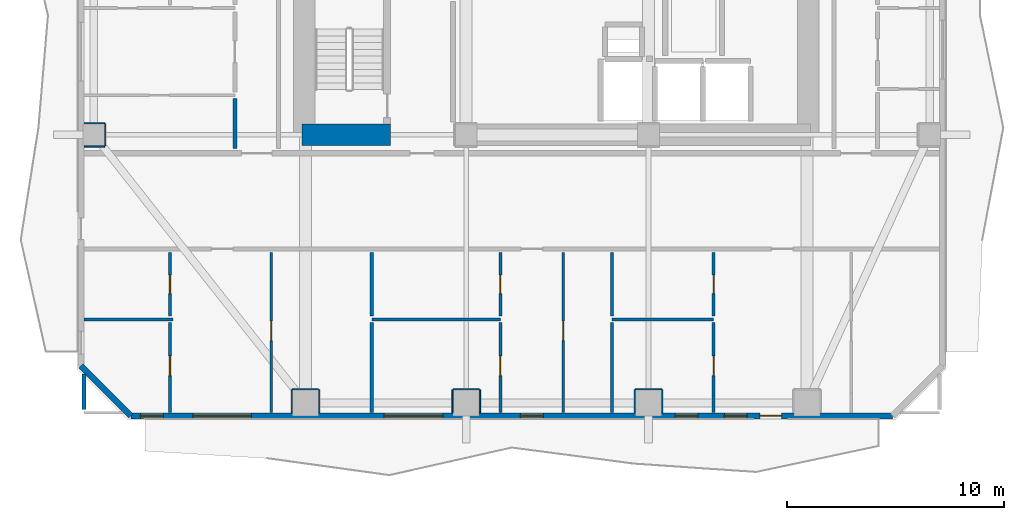
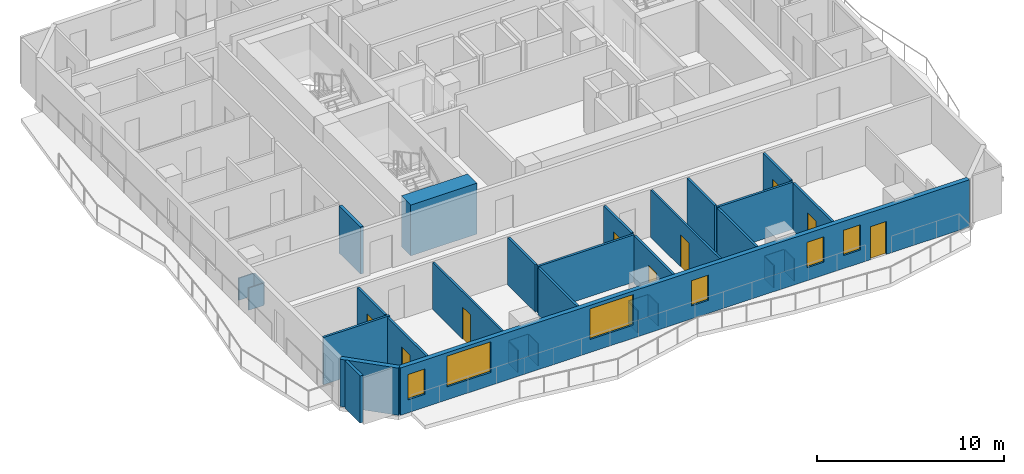
# One storey, part 2 of 11: 32 walls, 9 doors, 6 windows, 15 openings.
"""IFC4 building model written with IfcOpenShell, lengths in metres."""

from ifc_helpers import new_model, si_unit, direction, frame, frame_2d, origin, place, context, subcontext, project, spatial, rectangle, extrude, material, layer, layer_set, type_object, element, fill, save


model = new_model("IFC4")

# Units and contexts
model_context = context("Model", 3, precision=1e-05, world=origin(), true_north=direction((0.0, 1.0)))
body_context = subcontext(model_context, "Body", "Model", "MODEL_VIEW")
ifc_project = project(units=[si_unit("LENGTHUNIT", "METRE"), si_unit("AREAUNIT", "SQUARE_METRE"), si_unit("VOLUMEUNIT", "CUBIC_METRE"), si_unit("PLANEANGLEUNIT", "RADIAN"), si_unit("MASSUNIT", "GRAM", prefix="KILO")], contexts=[model_context])

# Site, building, storey
site_placement = place(None, origin())
site = spatial("IfcSite", under=ifc_project, at=site_placement, CompositionType="ELEMENT")
building_placement = place(site_placement, origin())
building = spatial("IfcBuilding", under=site, at=building_placement, Name="Solanera Arch Residences", CompositionType="ELEMENT")
storey_placement = place(building_placement, frame((0.0, 0.0, 109.39990234375)))
storey = spatial("IfcBuildingStorey", under=building, at=storey_placement, Name="L31", CompositionType="ELEMENT", Elevation=109.39990234375)

# Walls
ifc_material_1 = material(Name="Fire-Rated Gypsum Stud Partition", Category="gypsum")
ifc_layer_1 = layer(ifc_material_1, 0.06005859375)
ifc_layer_set_1 = layer_set([ifc_layer_1], Name="Fire-Rated Gypsum Stud Partition")
wall_type_1 = type_object("IfcWallType", Name="Column Acoustic Furring Wall 60", PredefinedType="PARTITIONING", material=ifc_layer_set_1)
wall_1_placement = place(storey_placement, frame((12.800048828125, 10.281982421875, 0.0), z_axis=(0.0, 0.0, 1.0), x_axis=(1.0, 0.0, 0.0)))
element("IfcWall", 1, at=wall_1_placement, inside=storey, type_object=wall_type_1, Name="L31 Column Furring 9N", PredefinedType="PARTITIONING", context=body_context, shape_type="SweptSolid", body=[
    extrude(rectangle(XDim=1.199951171875, YDim=0.06005859375, at=frame_2d((0.60009765625, 0.0))), origin(), (0.0, 0.0, 1.0), 1.4501953125),
])
for number, where, z_axis, x_axis, name in (
    (2, (12.76806640625, 9.2099609375, 0.0), (0.0, 0.0, 1.0), (0.0, 1.0, 0.0), "L31 Column Furring 9W"),
    (3, (14.031982421875, 9.2099609375, 0.0), (0.0, 0.0, 1.0), (0.0, 1.0, 0.0), "L31 Column Furring 9E"),
):
    element("IfcWall", number, at=place(storey_placement, frame(where, z_axis=z_axis, x_axis=x_axis)), inside=storey, type_object=wall_type_1, Name=name, PredefinedType="PARTITIONING", context=body_context, shape_type="SweptSolid", body=[
        extrude(rectangle(XDim=1.0400390625, YDim=0.06005859375, at=frame_2d((0.52001953125, 0.0))), origin(), (0.0, 0.0, 1.0), 1.4501953125),
    ])
wall_2_placement = place(storey_placement, frame((20.199951171875, 10.281982421875, 0.0), z_axis=(0.0, 0.0, 1.0), x_axis=(1.0, 0.0, 0.0)))
element("IfcWall", 4, at=wall_2_placement, inside=storey, type_object=wall_type_1, Name="L31 Column Furring 11N", PredefinedType="PARTITIONING", context=body_context, shape_type="SweptSolid", body=[
    extrude(rectangle(XDim=1.199951171875, YDim=0.06005859375, at=frame_2d((0.60009765625, 0.0))), origin(), (0.0, 0.0, 1.0), 1.4501953125),
])
for number, where, z_axis, x_axis, name in (
    (5, (20.16796875, 9.2099609375, 0.0), (0.0, 0.0, 1.0), (0.0, 1.0, 0.0), "L31 Column Furring 11W"),
    (6, (21.431884765625, 9.2099609375, 0.0), (0.0, 0.0, 1.0), (0.0, 1.0, 0.0), "L31 Column Furring 11E"),
):
    element("IfcWall", number, at=place(storey_placement, frame(where, z_axis=z_axis, x_axis=x_axis)), inside=storey, type_object=wall_type_1, Name=name, PredefinedType="PARTITIONING", context=body_context, shape_type="SweptSolid", body=[
        extrude(rectangle(XDim=1.0400390625, YDim=0.06005859375, at=frame_2d((0.52001953125, 0.0))), origin(), (0.0, 0.0, 1.0), 1.4501953125),
    ])
wall_3_placement = place(storey_placement, frame((28.60009765625, 10.281982421875, 0.0), z_axis=(0.0, 0.0, 1.0), x_axis=(1.0, 0.0, 0.0)))
element("IfcWall", 7, at=wall_3_placement, inside=storey, type_object=wall_type_1, Name="L31 Column Furring 13N", PredefinedType="PARTITIONING", context=body_context, shape_type="SweptSolid", body=[
    extrude(rectangle(XDim=1.199951171875, YDim=0.06005859375, at=frame_2d((0.60009765625, 0.0))), origin(), (0.0, 0.0, 1.0), 1.4501953125),
])
for number, where, z_axis, x_axis, name in (
    (8, (28.568115234375, 9.2099609375, 0.0), (0.0, 0.0, 1.0), (0.0, 1.0, 0.0), "L31 Column Furring 13W"),
    (9, (29.83203125, 9.2099609375, 0.0), (0.0, 0.0, 1.0), (0.0, 1.0, 0.0), "L31 Column Furring 13E"),
):
    element("IfcWall", number, at=place(storey_placement, frame(where, z_axis=z_axis, x_axis=x_axis)), inside=storey, type_object=wall_type_1, Name=name, PredefinedType="PARTITIONING", context=body_context, shape_type="SweptSolid", body=[
        extrude(rectangle(XDim=1.0400390625, YDim=0.06005859375, at=frame_2d((0.52001953125, 0.0))), origin(), (0.0, 0.0, 1.0), 1.4501953125),
    ])
for number, where, z_axis, x_axis, name in (
    (10, (3.2099609375, 21.468017578125, 0.0), (0.0, 0.0, 1.0), (1.0, 0.0, 0.0), "L31 Column Furring 17S"),
    (11, (3.2099609375, 22.531982421875, 0.0), (0.0, 0.0, 1.0), (1.0, 0.0, 0.0), "L31 Column Furring 17N"),
):
    element("IfcWall", number, at=place(storey_placement, frame(where, z_axis=z_axis, x_axis=x_axis)), inside=storey, type_object=wall_type_1, Name=name, PredefinedType="PARTITIONING", context=body_context, shape_type="SweptSolid", body=[
        extrude(rectangle(XDim=0.93994140625, YDim=0.06005859375, at=frame_2d((0.469970703125, 0.0))), origin(), (0.0, 0.0, 1.0), 1.4501953125),
    ])
wall_4_placement = place(storey_placement, frame((4.181884765625, 21.5, 0.0), z_axis=(0.0, 0.0, 1.0), x_axis=(0.0, 1.0, 0.0)))
element("IfcWall", 12, at=wall_4_placement, inside=storey, type_object=wall_type_1, Name="L31 Column Furring 17E", PredefinedType="PARTITIONING", context=body_context, shape_type="SweptSolid", body=[
    extrude(rectangle(XDim=1.0, YDim=0.06005859375, at=frame_2d((0.5, 0.0))), origin(), (0.0, 0.0, 1.0), 1.4501953125),
])
ifc_material_2 = material(Name="Concrete C55/67 (f'c = 60 MPa)", Category="concrete")
ifc_layer_2 = layer(ifc_material_2, 1.0)
ifc_layer_set_2 = layer_set([ifc_layer_2], Name="Concrete C55/67 (f'c = 60 MPa)")
wall_type_2 = type_object("IfcWallType", Name="Core Shear Wall CW-1000", PredefinedType="SHEAR", material=ifc_layer_set_2)
wall_5_placement = place(storey_placement, frame((13.239990234375, 22.0, 0.0), z_axis=(0.0, 0.0, 1.0), x_axis=(1.0, 0.0, 0.0)))
element("IfcWall", 13, at=wall_5_placement, inside=storey, type_object=wall_type_2, Name="L31 South-West Core Shear Wall", PredefinedType="SHEAR", context=body_context, shape_type="SweptSolid", body=[
    extrude(rectangle(XDim=4.080078125, YDim=1.0, at=frame_2d((2.0400390625, 0.0))), origin(), (0.0, 0.0, 1.0), 3.320068359375),
])
ifc_material_3 = material(Name="Autoclaved Aerated Concrete Blockwork", Category="masonry")
ifc_layer_3 = layer(ifc_material_3, 0.179931640625)
ifc_layer_set_3 = layer_set([ifc_layer_3], Name="Autoclaved Aerated Concrete Blockwork")
wall_type_3 = type_object("IfcWallType", Name="Corridor Fire Partition 180", PredefinedType="PARTITIONING", material=ifc_layer_set_3)
wall_6_placement = place(storey_placement, frame((3.199951171875, 9.35791015625, 0.0), z_axis=(0.0, 0.0, 1.0), x_axis=(0.0, 1.0, 0.0)))
element("IfcWall", 14, at=wall_6_placement, inside=storey, type_object=wall_type_3, Name="L31 Interior Partition V8 1", PredefinedType="PARTITIONING", context=body_context, shape_type="SweptSolid", body=[
    extrude(rectangle(XDim=1.63720703125, YDim=0.179931640625, at=frame_2d((0.818603515625, 0.0))), origin(), (0.0, 0.0, 1.0), 3.080078125),
])
wall_7_placement = place(storey_placement, frame((10.14990234375, 21.367919921875, 0.0), z_axis=(0.0, 0.0, 1.0), x_axis=(0.0, 1.0, 0.0)))
element("IfcWall", 15, at=wall_7_placement, inside=storey, type_object=wall_type_3, Name="L31 Interior Partition V9 1", PredefinedType="PARTITIONING", context=body_context, shape_type="SweptSolid", body=[
    extrude(rectangle(XDim=2.298095703125, YDim=0.179931640625, at=frame_2d((1.14892578125, 0.0))), origin(), (0.0, 0.0, 1.0), 3.080078125),
])

# Wall, openings, door, windows
ifc_material_4 = material(Name="Precast Concrete C35/45", Category="concrete")
ifc_layer_4 = layer(ifc_material_4, 0.280029296875)
ifc_layer_set_4 = layer_set([ifc_layer_4], Name="Precast Concrete C35/45")
wall_type_4 = type_object("IfcWallType", Name="Exterior Wall Precast Masonry-Frame 280", PredefinedType="STANDARD", material=ifc_layer_set_4)
wall_8_placement = place(storey_placement, frame((40.445068359375, 9.054931640625, 0.0), z_axis=(0.0, 0.0, 1.0), x_axis=(-1.0, 0.0, 0.0)))
wall_8 = element("IfcWall", 16, at=wall_8_placement, inside=storey, type_object=wall_type_4, Name="L31 Tower Exterior Precast Masonry-Frame Wall S", PredefinedType="STANDARD", context=body_context, shape_type="SweptSolid", body=[
    extrude(rectangle(XDim=35.090087890625, YDim=0.280029296875, at=frame_2d((17.544921875, 0.0))), origin(), (0.0, 0.0, 1.0), 3.080078125),
])
opening_1_placement = place(wall_8_placement, frame((5.114013671875, 0.0, 0.0)))
opening_1 = element("IfcOpeningElement", 17, at=opening_1_placement, cuts=wall_8, Name="Opening DB-01", PredefinedType="OPENING", context=body_context, shape_type="SweptSolid", body=[
    extrude(rectangle(XDim=1.0, YDim=2.14990234375, at=frame_2d((0.5, 1.074951171875))), frame((0.0, 0.14990234375, 0.0), z_axis=(0.0, -1.0, 0.0), x_axis=(1.0, 0.0, 0.0)), (0.0, 0.0, 1.0), 0.3),
])
opening_2_placement = place(wall_8_placement, frame((29.530029296875, 0.0, 0.85009765625)))
opening_2 = element("IfcOpeningElement", 18, at=opening_2_placement, cuts=wall_8, Name="Opening W-09", PredefinedType="OPENING", context=body_context, shape_type="SweptSolid", body=[
    extrude(rectangle(XDim=2.699951171875, YDim=2.0, at=frame_2d((1.35009765625, 1.0))), frame((0.0, 0.14990234375, 0.0), z_axis=(0.0, -1.0, 0.0), x_axis=(1.0, 0.0, 0.0)), (0.0, 0.0, 1.0), 0.3),
])
opening_3_placement = place(wall_8_placement, frame((33.593017578125, 0.0, 0.85009765625)))
opening_3 = element("IfcOpeningElement", 19, at=opening_3_placement, cuts=wall_8, Name="Opening W-07", PredefinedType="OPENING", context=body_context, shape_type="SweptSolid", body=[
    extrude(rectangle(XDim=1.050048828125, YDim=1.64990234375, at=frame_2d((0.52490234375, 0.824951171875))), frame((0.0, 0.14990234375, 0.0), z_axis=(0.0, -1.0, 0.0), x_axis=(1.0, 0.0, 0.0)), (0.0, 0.0, 1.0), 0.3),
])
opening_4_placement = place(wall_8_placement, frame((16.092041015625, 0.0, 0.85009765625)))
opening_4 = element("IfcOpeningElement", 20, at=opening_4_placement, cuts=wall_8, Name="Opening W-07", PredefinedType="OPENING", context=body_context, shape_type="SweptSolid", body=[
    extrude(rectangle(XDim=1.050048828125, YDim=1.64990234375, at=frame_2d((0.52490234375, 0.824951171875))), frame((0.0, 0.14990234375, 0.0), z_axis=(0.0, -1.0, 0.0), x_axis=(1.0, 0.0, 0.0)), (0.0, 0.0, 1.0), 0.3),
])
opening_5_placement = place(wall_8_placement, frame((20.718017578125, 0.0, 0.85009765625)))
opening_5 = element("IfcOpeningElement", 21, at=opening_5_placement, cuts=wall_8, Name="Opening W-09", PredefinedType="OPENING", context=body_context, shape_type="SweptSolid", body=[
    extrude(rectangle(XDim=2.699951171875, YDim=2.0, at=frame_2d((1.35009765625, 1.0))), frame((0.0, 0.14990234375, 0.0), z_axis=(0.0, -1.0, 0.0), x_axis=(1.0, 0.0, 0.0)), (0.0, 0.0, 1.0), 0.3),
])
opening_6_placement = place(wall_8_placement, frame((6.70703125, 0.0, 0.85009765625)))
opening_6 = element("IfcOpeningElement", 22, at=opening_6_placement, cuts=wall_8, Name="Opening W-07", PredefinedType="OPENING", context=body_context, shape_type="SweptSolid", body=[
    extrude(rectangle(XDim=1.050048828125, YDim=1.64990234375, at=frame_2d((0.52490234375, 0.824951171875))), frame((0.0, 0.14990234375, 0.0), z_axis=(0.0, -1.0, 0.0), x_axis=(1.0, 0.0, 0.0)), (0.0, 0.0, 1.0), 0.3),
])
opening_7_placement = place(wall_8_placement, frame((8.972900390625, 0.0, 0.85009765625)))
opening_7 = element("IfcOpeningElement", 23, at=opening_7_placement, cuts=wall_8, Name="Opening W-07", PredefinedType="OPENING", context=body_context, shape_type="SweptSolid", body=[
    extrude(rectangle(XDim=1.050048828125, YDim=1.64990234375, at=frame_2d((0.52490234375, 0.824951171875))), frame((0.0, 0.14990234375, 0.0), z_axis=(0.0, -1.0, 0.0), x_axis=(1.0, 0.0, 0.0)), (0.0, 0.0, 1.0), 0.3),
])
ifc_material_5 = material(Name="Anodised Aluminium Alloy 6063-T6", Category="aluminium")
door_type_1 = type_object("IfcDoorType", Name="Glazed Balcony Swing Door DB-01", OperationType="NOTDEFINED", PredefinedType="DOOR", material=ifc_material_5)
door_1_placement = place(opening_1_placement, origin())
door_1 = element("IfcDoor", 24, at=door_1_placement, inside=storey, type_object=door_type_1, Name="DR-L31-OUT-01", OperationType="SINGLE_SWING_LEFT", OverallHeight=2.14990234375, OverallWidth=1.0, PredefinedType="DOOR", context=body_context, shape_type="SweptSolid", body=[
    extrude(rectangle(XDim=1.0, YDim=2.14990234375, at=frame_2d((0.5, 1.074951171875))), frame((0.0, 0.02490234375, 0.0), z_axis=(0.0, -1.0, 0.0), x_axis=(1.0, 0.0, 0.0)), (0.0, 0.0, 1.0), 0.050048828125),
])
fill(opening_1, door_1)
ifc_material_6 = material(Name="Double Glazed Low-E Laminated Glass", Category="glass")
window_type_1 = type_object("IfcWindowType", Name="Punched Window W-07", PartitioningType="SINGLE_PANEL", PredefinedType="WINDOW", material=ifc_material_6)
window_1_placement = place(opening_3_placement, origin())
window_1 = element("IfcWindow", 25, at=window_1_placement, inside=storey, type_object=window_type_1, Name="L31 3101-BR1 Punched Window", OverallHeight=1.64990234375, OverallWidth=1.050048828125, PartitioningType="SINGLE_PANEL", PredefinedType="WINDOW", context=body_context, shape_type="SweptSolid", body=[
    extrude(rectangle(XDim=1.050048828125, YDim=1.64990234375, at=frame_2d((0.52490234375, 0.824951171875))), frame((0.0, 0.030029296875, 0.0), z_axis=(0.0, -1.0, 0.0), x_axis=(1.0, 0.0, 0.0)), (0.0, 0.0, 1.0), 0.06005859375),
])
fill(opening_3, window_1)
window_2_placement = place(opening_4_placement, origin())
window_2 = element("IfcWindow", 26, at=window_2_placement, inside=storey, type_object=window_type_1, Name="L31 3102-LIV Punched Window", OverallHeight=1.64990234375, OverallWidth=1.050048828125, PartitioningType="SINGLE_PANEL", PredefinedType="WINDOW", context=body_context, shape_type="SweptSolid", body=[
    extrude(rectangle(XDim=1.050048828125, YDim=1.64990234375, at=frame_2d((0.52490234375, 0.824951171875))), frame((0.0, 0.030029296875, 0.0), z_axis=(0.0, -1.0, 0.0), x_axis=(1.0, 0.0, 0.0)), (0.0, 0.0, 1.0), 0.06005859375),
])
fill(opening_4, window_2)
window_3_placement = place(opening_6_placement, origin())
window_3 = element("IfcWindow", 27, at=window_3_placement, inside=storey, type_object=window_type_1, Name="L31 3103-LIV Punched Window", OverallHeight=1.64990234375, OverallWidth=1.050048828125, PartitioningType="SINGLE_PANEL", PredefinedType="WINDOW", context=body_context, shape_type="SweptSolid", body=[
    extrude(rectangle(XDim=1.050048828125, YDim=1.64990234375, at=frame_2d((0.52490234375, 0.824951171875))), frame((0.0, 0.030029296875, 0.0), z_axis=(0.0, -1.0, 0.0), x_axis=(1.0, 0.0, 0.0)), (0.0, 0.0, 1.0), 0.06005859375),
])
fill(opening_6, window_3)
window_4_placement = place(opening_7_placement, origin())
window_4 = element("IfcWindow", 28, at=window_4_placement, inside=storey, type_object=window_type_1, Name="L31 3103-BR1 Punched Window", OverallHeight=1.64990234375, OverallWidth=1.050048828125, PartitioningType="SINGLE_PANEL", PredefinedType="WINDOW", context=body_context, shape_type="SweptSolid", body=[
    extrude(rectangle(XDim=1.050048828125, YDim=1.64990234375, at=frame_2d((0.52490234375, 0.824951171875))), frame((0.0, 0.030029296875, 0.0), z_axis=(0.0, -1.0, 0.0), x_axis=(1.0, 0.0, 0.0)), (0.0, 0.0, 1.0), 0.06005859375),
])
fill(opening_7, window_4)
ifc_material_7 = material(Name="Double Glazed Low-E Laminated Glass", Category="glass")
window_type_2 = type_object("IfcWindowType", Name="Punched Window W-09", PartitioningType="TRIPLE_PANEL_VERTICAL", PredefinedType="WINDOW", material=ifc_material_7)
window_5_placement = place(opening_2_placement, origin())
window_5 = element("IfcWindow", 29, at=window_5_placement, inside=storey, type_object=window_type_2, Name="L31 3101-LIV Punched Window", OverallHeight=2.0, OverallWidth=2.699951171875, PartitioningType="SINGLE_PANEL", PredefinedType="WINDOW", context=body_context, shape_type="SweptSolid", body=[
    extrude(rectangle(XDim=2.699951171875, YDim=2.0, at=frame_2d((1.35009765625, 1.0))), frame((0.0, 0.030029296875, 0.0), z_axis=(0.0, -1.0, 0.0), x_axis=(1.0, 0.0, 0.0)), (0.0, 0.0, 1.0), 0.06005859375),
])
fill(opening_2, window_5)
window_6_placement = place(opening_5_placement, origin())
window_6 = element("IfcWindow", 30, at=window_6_placement, inside=storey, type_object=window_type_2, Name="L31 3102-BR1 Punched Window", OverallHeight=2.0, OverallWidth=2.699951171875, PartitioningType="SINGLE_PANEL", PredefinedType="WINDOW", context=body_context, shape_type="SweptSolid", body=[
    extrude(rectangle(XDim=2.699951171875, YDim=2.0, at=frame_2d((1.35009765625, 1.0))), frame((0.0, 0.030029296875, 0.0), z_axis=(0.0, -1.0, 0.0), x_axis=(1.0, 0.0, 0.0)), (0.0, 0.0, 1.0), 0.06005859375),
])
fill(opening_5, window_6)

# Wall
wall_9_placement = place(storey_placement, frame((5.35498046875, 9.054931640625, 0.0), z_axis=(0.0, 0.0, 1.0), x_axis=(-0.707106781187, 0.707106781187, 0.0)))
element("IfcWall", 31, at=wall_9_placement, inside=storey, type_object=wall_type_4, Name="L31 Tower Exterior Precast Masonry-Frame Wall CH7", PredefinedType="STANDARD", context=body_context, shape_type="SweptSolid", body=[
    extrude(rectangle(XDim=3.252685546875, YDim=0.280029296875, at=frame_2d((1.62646484375, 0.0))), origin(), (0.0, 0.0, 1.0), 3.080078125),
])

# Wall, opening, door
ifc_material_8 = material(Name="Fire-Rated Gypsum Stud Partition", Category="gypsum")
ifc_layer_5 = layer(ifc_material_8, 0.1201171875)
ifc_layer_set_5 = layer_set([ifc_layer_5], Name="Fire-Rated Gypsum Stud Partition")
wall_type_5 = type_object("IfcWallType", Name="Unit Drywall Partition 120", PredefinedType="PARTITIONING", material=ifc_layer_set_5)
wall_10_placement = place(storey_placement, frame((11.820068359375, 9.20703125, 0.0), z_axis=(0.0, 0.0, 1.0), x_axis=(0.0, 1.0, 0.0)))
wall_10 = element("IfcWall", 32, at=wall_10_placement, inside=storey, type_object=wall_type_5, Name="L31 Interior Partition V25", PredefinedType="PARTITIONING", context=body_context, shape_type="SweptSolid", body=[
    extrude(rectangle(XDim=7.385009765625, YDim=0.1201171875, at=frame_2d((3.6923828125, 0.0))), origin(), (0.0, 0.0, 1.0), 3.080078125),
])
opening_8_placement = place(wall_10_placement, frame((3.318115234375, 0.0, 0.0)))
opening_8 = element("IfcOpeningElement", 33, at=opening_8_placement, cuts=wall_10, Name="Opening DI-02", PredefinedType="OPENING", context=body_context, shape_type="SweptSolid", body=[
    extrude(rectangle(XDim=0.89990234375, YDim=2.10009765625, at=frame_2d((0.449951171875, 1.050048828125))), frame((0.0, 0.070068359375, 0.0), z_axis=(0.0, -1.0, 0.0), x_axis=(1.0, 0.0, 0.0)), (0.0, 0.0, 1.0), 0.1401),
])
ifc_material_9 = material(Name="Fire-Rated Architectural Hardwood", Category="wood")
door_type_2 = type_object("IfcDoorType", Name="Suite Room Swing Door DI-02", OperationType="NOTDEFINED", PredefinedType="DOOR", material=ifc_material_9)
door_2_placement = place(opening_8_placement, origin())
door_2 = element("IfcDoor", 34, at=door_2_placement, inside=storey, type_object=door_type_2, Name="DR-L31-IN-020", OperationType="SINGLE_SWING_RIGHT", OverallHeight=2.10009765625, OverallWidth=0.89990234375, PredefinedType="DOOR", context=body_context, shape_type="SweptSolid", body=[
    extrude(rectangle(XDim=0.89990234375, YDim=2.10009765625, at=frame_2d((0.449951171875, 1.050048828125))), frame((0.0, 0.02490234375, 0.0), z_axis=(0.0, -1.0, 0.0), x_axis=(1.0, 0.0, 0.0)), (0.0, 0.0, 1.0), 0.050048828125),
])
fill(opening_8, door_2)

wall_11_placement = place(storey_placement, frame((25.27587890625, 9.20703125, 0.0), z_axis=(0.0, 0.0, 1.0), x_axis=(0.0, 1.0, 0.0)))
wall_11 = element("IfcWall", 35, at=wall_11_placement, inside=storey, type_object=wall_type_5, Name="L31 Interior Partition V27", PredefinedType="PARTITIONING", context=body_context, shape_type="SweptSolid", body=[
    extrude(rectangle(XDim=7.385009765625, YDim=0.1201171875, at=frame_2d((3.6923828125, 0.0))), origin(), (0.0, 0.0, 1.0), 3.080078125),
])
opening_9_placement = place(wall_11_placement, frame((3.318115234375, 0.0, 0.0)))
opening_9 = element("IfcOpeningElement", 36, at=opening_9_placement, cuts=wall_11, Name="Opening DI-02", PredefinedType="OPENING", context=body_context, shape_type="SweptSolid", body=[
    extrude(rectangle(XDim=0.89990234375, YDim=2.10009765625, at=frame_2d((0.449951171875, 1.050048828125))), frame((0.0, 0.070068359375, 0.0), z_axis=(0.0, -1.0, 0.0), x_axis=(1.0, 0.0, 0.0)), (0.0, 0.0, 1.0), 0.1401),
])
door_3_placement = place(opening_9_placement, origin())
door_3 = element("IfcDoor", 37, at=door_3_placement, inside=storey, type_object=door_type_2, Name="DR-L31-IN-024", OperationType="SINGLE_SWING_RIGHT", OverallHeight=2.10009765625, OverallWidth=0.89990234375, PredefinedType="DOOR", context=body_context, shape_type="SweptSolid", body=[
    extrude(rectangle(XDim=0.89990234375, YDim=2.10009765625, at=frame_2d((0.449951171875, 1.050048828125))), frame((0.0, 0.02490234375, 0.0), z_axis=(0.0, -1.0, 0.0), x_axis=(1.0, 0.0, 0.0)), (0.0, 0.0, 1.0), 0.050048828125),
])
fill(opening_9, door_3)

# Walls
ifc_material_10 = material(Name="Autoclaved Aerated Concrete Blockwork", Category="masonry")
ifc_layer_6 = layer(ifc_material_10, 0.139892578125)
ifc_layer_set_6 = layer_set([ifc_layer_6], Name="Autoclaved Aerated Concrete Blockwork")
wall_type_6 = type_object("IfcWallType", Name="Wet-Room Partition 140", PredefinedType="PARTITIONING", material=ifc_layer_set_6)
wall_12_placement = place(storey_placement, frame((3.20703125, 13.50390625, 0.0), z_axis=(0.0, 0.0, 1.0), x_axis=(1.0, 0.0, 0.0)))
element("IfcWall", 38, at=wall_12_placement, inside=storey, type_object=wall_type_6, Name="L31 Interior Partition H13", PredefinedType="PARTITIONING", context=body_context, shape_type="SweptSolid", body=[
    extrude(rectangle(XDim=4.10205078125, YDim=0.139892578125, at=frame_2d((2.051025390625, 0.0))), origin(), (0.0, 0.0, 1.0), 3.080078125),
])
wall_13_placement = place(storey_placement, frame((16.4541015625, 13.50390625, 0.0), z_axis=(0.0, 0.0, 1.0), x_axis=(1.0, 0.0, 0.0)))
element("IfcWall", 39, at=wall_13_placement, inside=storey, type_object=wall_type_6, Name="L31 Interior Partition H14", PredefinedType="PARTITIONING", context=body_context, shape_type="SweptSolid", body=[
    extrude(rectangle(XDim=5.92578125, YDim=0.139892578125, at=frame_2d((2.962890625, 0.0))), origin(), (0.0, 0.0, 1.0), 3.080078125),
])
wall_14_placement = place(storey_placement, frame((27.52001953125, 13.50390625, 0.0), z_axis=(0.0, 0.0, 1.0), x_axis=(1.0, 0.0, 0.0)))
element("IfcWall", 40, at=wall_14_placement, inside=storey, type_object=wall_type_6, Name="L31 Interior Partition H15", PredefinedType="PARTITIONING", context=body_context, shape_type="SweptSolid", body=[
    extrude(rectangle(XDim=4.675048828125, YDim=0.139892578125, at=frame_2d((2.33740234375, 0.0))), origin(), (0.0, 0.0, 1.0), 3.080078125),
])

# Wall, opening, door
wall_15_placement = place(storey_placement, frame((7.162109375, 9.20703125, 0.0), z_axis=(0.0, 0.0, 1.0), x_axis=(0.0, 1.0, 0.0)))
wall_15 = element("IfcWall", 41, at=wall_15_placement, inside=storey, type_object=wall_type_6, Name="L31 Interior Partition V16 1", PredefinedType="PARTITIONING", context=body_context, shape_type="SweptSolid", body=[
    extrude(rectangle(XDim=4.14892578125, YDim=0.139892578125, at=frame_2d((2.074462890625, 0.0))), origin(), (0.0, 0.0, 1.0), 3.080078125),
])
opening_10_placement = place(wall_15_placement, frame((1.7080078125, 0.0, 0.0)))
opening_10 = element("IfcOpeningElement", 42, at=opening_10_placement, cuts=wall_15, Name="Opening DI-03", PredefinedType="OPENING", context=body_context, shape_type="SweptSolid", body=[
    extrude(rectangle(XDim=0.89990234375, YDim=2.10009765625, at=frame_2d((0.449951171875, 1.050048828125))), frame((0.0, 0.079833984375, 0.0), z_axis=(0.0, -1.0, 0.0), x_axis=(1.0, 0.0, 0.0)), (0.0, 0.0, 1.0), 0.1599),
])
ifc_material_11 = material(Name="Fire-Rated Architectural Hardwood", Category="wood")
door_type_3 = type_object("IfcDoorType", Name="Bedroom Swing Door DI-03", OperationType="NOTDEFINED", PredefinedType="DOOR", material=ifc_material_11)
door_4_placement = place(opening_10_placement, origin())
door_4 = element("IfcDoor", 43, at=door_4_placement, inside=storey, type_object=door_type_3, Name="DR-L31-IN-019", OperationType="SINGLE_SWING_LEFT", OverallHeight=2.10009765625, OverallWidth=0.89990234375, PredefinedType="DOOR", context=body_context, shape_type="SweptSolid", body=[
    extrude(rectangle(XDim=0.89990234375, YDim=2.10009765625, at=frame_2d((0.449951171875, 1.050048828125))), frame((0.0, 0.02490234375, 0.0), z_axis=(0.0, -1.0, 0.0), x_axis=(1.0, 0.0, 0.0)), (0.0, 0.0, 1.0), 0.050048828125),
])
fill(opening_10, door_4)

wall_16_placement = place(storey_placement, frame((7.162109375, 13.652099609375, 0.0), z_axis=(0.0, 0.0, 1.0), x_axis=(0.0, 1.0, 0.0)))
wall_16 = element("IfcWall", 44, at=wall_16_placement, inside=storey, type_object=wall_type_6, Name="L31 Interior Partition V16 2", PredefinedType="PARTITIONING", context=body_context, shape_type="SweptSolid", body=[
    extrude(rectangle(XDim=2.929931640625, YDim=0.139892578125, at=frame_2d((1.46484375, 0.0))), origin(), (0.0, 0.0, 1.0), 3.080078125),
])
opening_11_placement = place(wall_16_placement, frame((1.031982421875, 0.0, 0.0)))
opening_11 = element("IfcOpeningElement", 45, at=opening_11_placement, cuts=wall_16, Name="Opening DI-05", PredefinedType="OPENING", context=body_context, shape_type="SweptSolid", body=[
    extrude(rectangle(XDim=0.860107421875, YDim=2.02001953125, at=frame_2d((0.43017578125, 1.010009765625))), frame((0.0, 0.079833984375, 0.0), z_axis=(0.0, -1.0, 0.0), x_axis=(1.0, 0.0, 0.0)), (0.0, 0.0, 1.0), 0.1599),
])
ifc_material_12 = material(Name="Fire-Rated Architectural Hardwood", Category="wood")
door_type_4 = type_object("IfcDoorType", Name="Bathroom Swing Door DI-05", OperationType="NOTDEFINED", PredefinedType="DOOR", material=ifc_material_12)
door_5_placement = place(opening_11_placement, origin())
door_5 = element("IfcDoor", 46, at=door_5_placement, inside=storey, type_object=door_type_4, Name="DR-L31-IN-018", OperationType="SINGLE_SWING_RIGHT", OverallHeight=2.02001953125, OverallWidth=0.860107421875, PredefinedType="DOOR", context=body_context, shape_type="SweptSolid", body=[
    extrude(rectangle(XDim=0.860107421875, YDim=2.02001953125, at=frame_2d((0.43017578125, 1.010009765625))), frame((0.0, 0.02490234375, 0.0), z_axis=(0.0, -1.0, 0.0), x_axis=(1.0, 0.0, 0.0)), (0.0, 0.0, 1.0), 0.050048828125),
])
fill(opening_11, door_5)

# Walls
wall_17_placement = place(storey_placement, frame((16.4541015625, 9.20703125, 0.0), z_axis=(0.0, 0.0, 1.0), x_axis=(0.0, 1.0, 0.0)))
element("IfcWall", 47, at=wall_17_placement, inside=storey, type_object=wall_type_6, Name="L31 Interior Partition V19 1", PredefinedType="PARTITIONING", context=body_context, shape_type="SweptSolid", body=[
    extrude(rectangle(XDim=4.14892578125, YDim=0.139892578125, at=frame_2d((2.074462890625, 0.0))), origin(), (0.0, 0.0, 1.0), 3.080078125),
])
wall_18_placement = place(storey_placement, frame((16.4541015625, 13.652099609375, 0.0), z_axis=(0.0, 0.0, 1.0), x_axis=(0.0, 1.0, 0.0)))
element("IfcWall", 48, at=wall_18_placement, inside=storey, type_object=wall_type_6, Name="L31 Interior Partition V19 2", PredefinedType="PARTITIONING", context=body_context, shape_type="SweptSolid", body=[
    extrude(rectangle(XDim=2.929931640625, YDim=0.139892578125, at=frame_2d((1.46484375, 0.0))), origin(), (0.0, 0.0, 1.0), 3.080078125),
])

# Wall, opening, door
wall_19_placement = place(storey_placement, frame((22.3798828125, 9.20703125, 0.0), z_axis=(0.0, 0.0, 1.0), x_axis=(0.0, 1.0, 0.0)))
wall_19 = element("IfcWall", 49, at=wall_19_placement, inside=storey, type_object=wall_type_6, Name="L31 Interior Partition V20 1", PredefinedType="PARTITIONING", context=body_context, shape_type="SweptSolid", body=[
    extrude(rectangle(XDim=4.14892578125, YDim=0.139892578125, at=frame_2d((2.074462890625, 0.0))), origin(), (0.0, 0.0, 1.0), 3.080078125),
])
opening_12_placement = place(wall_19_placement, frame((1.7080078125, 0.0, 0.0)))
opening_12 = element("IfcOpeningElement", 50, at=opening_12_placement, cuts=wall_19, Name="Opening DI-03", PredefinedType="OPENING", context=body_context, shape_type="SweptSolid", body=[
    extrude(rectangle(XDim=0.89990234375, YDim=2.10009765625, at=frame_2d((0.449951171875, 1.050048828125))), frame((0.0, 0.079833984375, 0.0), z_axis=(0.0, -1.0, 0.0), x_axis=(1.0, 0.0, 0.0)), (0.0, 0.0, 1.0), 0.1599),
])
door_6_placement = place(opening_12_placement, origin())
door_6 = element("IfcDoor", 51, at=door_6_placement, inside=storey, type_object=door_type_3, Name="DR-L31-IN-023", OperationType="SINGLE_SWING_LEFT", OverallHeight=2.10009765625, OverallWidth=0.89990234375, PredefinedType="DOOR", context=body_context, shape_type="SweptSolid", body=[
    extrude(rectangle(XDim=0.89990234375, YDim=2.10009765625, at=frame_2d((0.449951171875, 1.050048828125))), frame((0.0, 0.02490234375, 0.0), z_axis=(0.0, -1.0, 0.0), x_axis=(1.0, 0.0, 0.0)), (0.0, 0.0, 1.0), 0.050048828125),
])
fill(opening_12, door_6)

wall_20_placement = place(storey_placement, frame((22.3798828125, 13.652099609375, 0.0), z_axis=(0.0, 0.0, 1.0), x_axis=(0.0, 1.0, 0.0)))
wall_20 = element("IfcWall", 52, at=wall_20_placement, inside=storey, type_object=wall_type_6, Name="L31 Interior Partition V20 2", PredefinedType="PARTITIONING", context=body_context, shape_type="SweptSolid", body=[
    extrude(rectangle(XDim=2.929931640625, YDim=0.139892578125, at=frame_2d((1.46484375, 0.0))), origin(), (0.0, 0.0, 1.0), 3.080078125),
])
opening_13_placement = place(wall_20_placement, frame((1.031982421875, 0.0, 0.0)))
opening_13 = element("IfcOpeningElement", 53, at=opening_13_placement, cuts=wall_20, Name="Opening DI-05", PredefinedType="OPENING", context=body_context, shape_type="SweptSolid", body=[
    extrude(rectangle(XDim=0.860107421875, YDim=2.02001953125, at=frame_2d((0.43017578125, 1.010009765625))), frame((0.0, 0.079833984375, 0.0), z_axis=(0.0, -1.0, 0.0), x_axis=(1.0, 0.0, 0.0)), (0.0, 0.0, 1.0), 0.1599),
])
door_7_placement = place(opening_13_placement, origin())
door_7 = element("IfcDoor", 54, at=door_7_placement, inside=storey, type_object=door_type_4, Name="DR-L31-IN-022", OperationType="SINGLE_SWING_RIGHT", OverallHeight=2.02001953125, OverallWidth=0.860107421875, PredefinedType="DOOR", context=body_context, shape_type="SweptSolid", body=[
    extrude(rectangle(XDim=0.860107421875, YDim=2.02001953125, at=frame_2d((0.43017578125, 1.010009765625))), frame((0.0, 0.02490234375, 0.0), z_axis=(0.0, -1.0, 0.0), x_axis=(1.0, 0.0, 0.0)), (0.0, 0.0, 1.0), 0.050048828125),
])
fill(opening_13, door_7)

# Walls
wall_21_placement = place(storey_placement, frame((27.52001953125, 9.20703125, 0.0), z_axis=(0.0, 0.0, 1.0), x_axis=(0.0, 1.0, 0.0)))
element("IfcWall", 55, at=wall_21_placement, inside=storey, type_object=wall_type_6, Name="L31 Interior Partition V22 1", PredefinedType="PARTITIONING", context=body_context, shape_type="SweptSolid", body=[
    extrude(rectangle(XDim=4.14892578125, YDim=0.139892578125, at=frame_2d((2.074462890625, 0.0))), origin(), (0.0, 0.0, 1.0), 3.080078125),
])
wall_22_placement = place(storey_placement, frame((27.52001953125, 13.652099609375, 0.0), z_axis=(0.0, 0.0, 1.0), x_axis=(0.0, 1.0, 0.0)))
element("IfcWall", 56, at=wall_22_placement, inside=storey, type_object=wall_type_6, Name="L31 Interior Partition V22 2", PredefinedType="PARTITIONING", context=body_context, shape_type="SweptSolid", body=[
    extrude(rectangle(XDim=2.929931640625, YDim=0.139892578125, at=frame_2d((1.46484375, 0.0))), origin(), (0.0, 0.0, 1.0), 3.080078125),
])

# Wall, opening, door
wall_23_placement = place(storey_placement, frame((32.195068359375, 9.20703125, 0.0), z_axis=(0.0, 0.0, 1.0), x_axis=(0.0, 1.0, 0.0)))
wall_23 = element("IfcWall", 57, at=wall_23_placement, inside=storey, type_object=wall_type_6, Name="L31 Interior Partition V24 1", PredefinedType="PARTITIONING", context=body_context, shape_type="SweptSolid", body=[
    extrude(rectangle(XDim=4.14892578125, YDim=0.139892578125, at=frame_2d((2.074462890625, 0.0))), origin(), (0.0, 0.0, 1.0), 3.080078125),
])
opening_14_placement = place(wall_23_placement, frame((1.7080078125, 0.0, 0.0)))
opening_14 = element("IfcOpeningElement", 58, at=opening_14_placement, cuts=wall_23, Name="Opening DI-03", PredefinedType="OPENING", context=body_context, shape_type="SweptSolid", body=[
    extrude(rectangle(XDim=0.89990234375, YDim=2.10009765625, at=frame_2d((0.449951171875, 1.050048828125))), frame((0.0, 0.079833984375, 0.0), z_axis=(0.0, -1.0, 0.0), x_axis=(1.0, 0.0, 0.0)), (0.0, 0.0, 1.0), 0.1599),
])
door_8_placement = place(opening_14_placement, origin())
door_8 = element("IfcDoor", 59, at=door_8_placement, inside=storey, type_object=door_type_3, Name="DR-L31-IN-027", OperationType="SINGLE_SWING_LEFT", OverallHeight=2.10009765625, OverallWidth=0.89990234375, PredefinedType="DOOR", context=body_context, shape_type="SweptSolid", body=[
    extrude(rectangle(XDim=0.89990234375, YDim=2.10009765625, at=frame_2d((0.449951171875, 1.050048828125))), frame((0.0, 0.02490234375, 0.0), z_axis=(0.0, -1.0, 0.0), x_axis=(1.0, 0.0, 0.0)), (0.0, 0.0, 1.0), 0.050048828125),
])
fill(opening_14, door_8)

wall_24_placement = place(storey_placement, frame((32.195068359375, 13.652099609375, 0.0), z_axis=(0.0, 0.0, 1.0), x_axis=(0.0, 1.0, 0.0)))
wall_24 = element("IfcWall", 60, at=wall_24_placement, inside=storey, type_object=wall_type_6, Name="L31 Interior Partition V24 2", PredefinedType="PARTITIONING", context=body_context, shape_type="SweptSolid", body=[
    extrude(rectangle(XDim=2.929931640625, YDim=0.139892578125, at=frame_2d((1.46484375, 0.0))), origin(), (0.0, 0.0, 1.0), 3.080078125),
])
opening_15_placement = place(wall_24_placement, frame((1.031982421875, 0.0, 0.0)))
opening_15 = element("IfcOpeningElement", 61, at=opening_15_placement, cuts=wall_24, Name="Opening DI-05", PredefinedType="OPENING", context=body_context, shape_type="SweptSolid", body=[
    extrude(rectangle(XDim=0.860107421875, YDim=2.02001953125, at=frame_2d((0.43017578125, 1.010009765625))), frame((0.0, 0.079833984375, 0.0), z_axis=(0.0, -1.0, 0.0), x_axis=(1.0, 0.0, 0.0)), (0.0, 0.0, 1.0), 0.1599),
])
door_9_placement = place(opening_15_placement, origin())
door_9 = element("IfcDoor", 62, at=door_9_placement, inside=storey, type_object=door_type_4, Name="DR-L31-IN-026", OperationType="SINGLE_SWING_RIGHT", OverallHeight=2.02001953125, OverallWidth=0.860107421875, PredefinedType="DOOR", context=body_context, shape_type="SweptSolid", body=[
    extrude(rectangle(XDim=0.860107421875, YDim=2.02001953125, at=frame_2d((0.43017578125, 1.010009765625))), frame((0.0, 0.02490234375, 0.0), z_axis=(0.0, -1.0, 0.0), x_axis=(1.0, 0.0, 0.0)), (0.0, 0.0, 1.0), 0.050048828125),
])
fill(opening_15, door_9)

save(model, "model.ifc")
